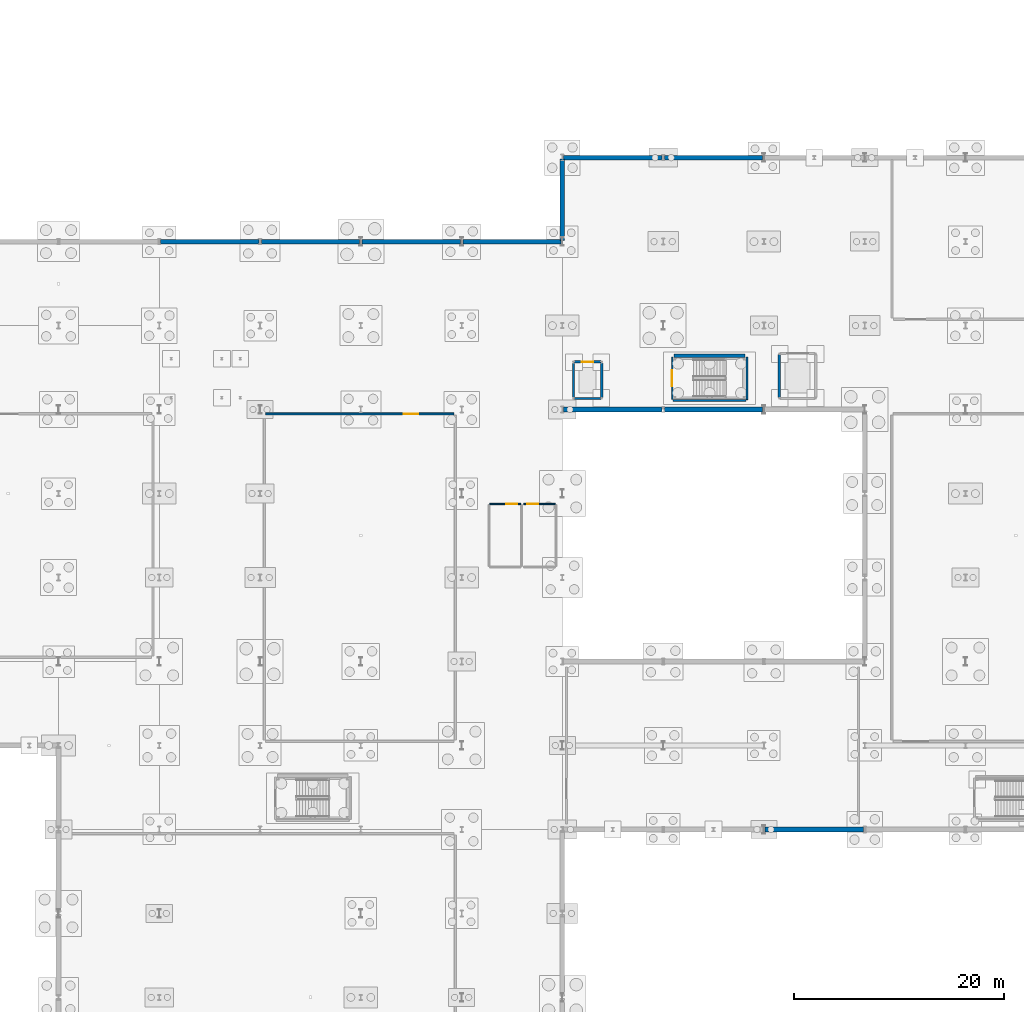
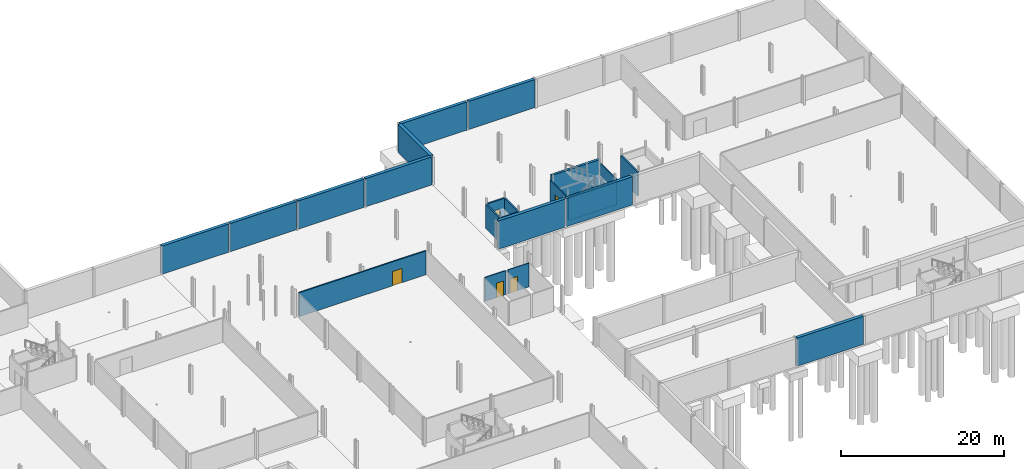
# One storey, part 39 of 47: 22 walls, 5 doors, 5 openings.
"""IFC4 building model written with IfcOpenShell, lengths in metres."""

from ifc_helpers import new_model, si_unit, direction, frame, frame_2d, origin, place, context, subcontext, project, spatial, rectangle, extrude, material, layer, layer_set, type_object, element, fill, save


model = new_model("IFC4")

# Units and contexts
model_context = context("Model", 3, precision=1e-05, world=origin(), true_north=direction((0.0, 1.0)))
body_context = subcontext(model_context, "Body", "Model", "MODEL_VIEW")
ifc_project = project(units=[si_unit("LENGTHUNIT", "METRE"), si_unit("AREAUNIT", "SQUARE_METRE"), si_unit("VOLUMEUNIT", "CUBIC_METRE"), si_unit("PLANEANGLEUNIT", "RADIAN"), si_unit("MASSUNIT", "GRAM", prefix="KILO")], contexts=[model_context])

# Site, building, storey
site_placement = place(None, origin())
site = spatial("IfcSite", under=ifc_project, at=site_placement, CompositionType="ELEMENT")
building_placement = place(site_placement, origin())
building = spatial("IfcBuilding", under=site, at=building_placement, Name="Alderhovde Museum", CompositionType="ELEMENT")
storey_placement = place(building_placement, frame((0.0, 0.0, -4.5)))
storey = spatial("IfcBuildingStorey", under=building, at=storey_placement, Name="B1", CompositionType="ELEMENT", Elevation=-4.5)

# Wall, opening, door
ifc_material_1 = material(Name="Fire-Resisting Twin-Stud Compartment Wall")
ifc_layer_1 = layer(ifc_material_1, 0.18994140625)
ifc_layer_set_1 = layer_set([ifc_layer_1], Name="Fire-Resisting Twin-Stud Compartment Wall")
wall_type_1 = type_object("IfcWallType", Name="IW-FIRE-190", PredefinedType="SOLIDWALL", material=ifc_layer_set_1)
wall_1_placement = place(storey_placement, frame((86.93994140625, 71.60009765625, 0.0), z_axis=(0.0, 0.0, 1.0), x_axis=(1.0, 0.0, 0.0)))
wall_1 = element("IfcWall", 1, at=wall_1_placement, inside=storey, type_object=wall_type_1, Name="B1 Conservation HVAC Plant Hall Partition Wall N", PredefinedType="SOLIDWALL", context=body_context, shape_type="SweptSolid", body=[
    extrude(rectangle(XDim=17.920166015625, YDim=0.18994140625, at=frame_2d((8.9599609375, 0.0))), origin(), (0.0, 0.0, 1.0), 3.580078125),
])
opening_1_placement = place(wall_1_placement, frame((13.14599609375, 0.0, 0.0)))
opening_1 = element("IfcOpeningElement", 2, at=opening_1_placement, cuts=wall_1, Name="Opening FD-6", PredefinedType="OPENING", context=body_context, shape_type="SweptSolid", body=[
    extrude(rectangle(XDim=1.39990234375, YDim=2.14990234375, at=frame_2d((0.699951171875, 1.074951171875))), frame((0.0, 0.10498046875, 0.0), z_axis=(0.0, -1.0, 0.0), x_axis=(1.0, 0.0, 0.0)), (0.0, 0.0, 1.0), 0.2099609375),
])
ifc_material_2 = material(Name="Fire-Rated Plant Room Door (Steel/Oak)", Category="steel")
door_type_1 = type_object("IfcDoorType", Name="FD-PLANT-1400x2150", OperationType="NOTDEFINED", PredefinedType="DOOR", material=ifc_material_2)
door_1_placement = place(opening_1_placement, origin())
door_1 = element("IfcDoor", 3, at=door_1_placement, inside=storey, type_object=door_type_1, Name="B1 Conservation HVAC Plant Hall Door", OperationType="SINGLE_SWING_RIGHT", OverallHeight=2.14990234375, OverallWidth=1.39990234375, PredefinedType="DOOR", context=body_context, shape_type="SweptSolid", body=[
    extrude(rectangle(XDim=1.39990234375, YDim=2.14990234375, at=frame_2d((0.699951171875, 1.074951171875))), frame((0.0, 0.02490234375, 0.0), z_axis=(0.0, -1.0, 0.0), x_axis=(1.0, 0.0, 0.0)), (0.0, 0.0, 1.0), 0.050048828125),
])
fill(opening_1, door_1)

# Wall
ifc_material_3 = material(Name="Concrete C40/50 and Fireboard Shaft Wall", Category="concrete")
ifc_layer_2 = layer(ifc_material_3, 0.22998046875)
ifc_layer_set_2 = layer_set([ifc_layer_2], Name="Concrete C40/50 and Fireboard Shaft Wall")
wall_type_2 = type_object("IfcWallType", Name="IW-SHAFT-230", PredefinedType="SOLIDWALL", material=ifc_layer_set_2)
wall_2_placement = place(storey_placement, frame((116.340087890625, 73.06005859375, 0.0), z_axis=(0.0, 0.0, 1.0), x_axis=(1.0, 0.0, 0.0)))
element("IfcWall", 4, at=wall_2_placement, inside=storey, type_object=wall_type_2, Name="B1 Passenger Lift PL-03 Shaft Wall South", PredefinedType="SOLIDWALL", context=body_context, shape_type="SweptSolid", body=[
    extrude(rectangle(XDim=2.52001953125, YDim=0.22998046875, at=frame_2d((1.260009765625, 0.0))), origin(), (0.0, 0.0, 1.0), 3.580078125),
])

# Wall, opening, door
wall_3_placement = place(storey_placement, frame((116.340087890625, 76.5400390625, 0.0), z_axis=(0.0, 0.0, 1.0), x_axis=(1.0, 0.0, 0.0)))
wall_3 = element("IfcWall", 5, at=wall_3_placement, inside=storey, type_object=wall_type_2, Name="B1 Passenger Lift PL-03 Shaft Wall North", PredefinedType="SOLIDWALL", context=body_context, shape_type="SweptSolid", body=[
    extrude(rectangle(XDim=2.52001953125, YDim=0.22998046875, at=frame_2d((1.260009765625, 0.0))), origin(), (0.0, 0.0, 1.0), 3.580078125),
])
opening_2_placement = place(wall_3_placement, frame((0.7099609375, 0.0, 0.0)))
opening_2 = element("IfcOpeningElement", 6, at=opening_2_placement, cuts=wall_3, Name="Opening LD-1", PredefinedType="OPENING", context=body_context, shape_type="SweptSolid", body=[
    extrude(rectangle(XDim=1.10009765625, YDim=2.199951171875, at=frame_2d((0.550048828125, 1.10009765625))), frame((0.0, 0.125, 0.0), z_axis=(0.0, -1.0, 0.0), x_axis=(1.0, 0.0, 0.0)), (0.0, 0.0, 1.0), 0.25),
])
ifc_material_4 = material(Name="Passenger Lift Sliding Landing Door (Steel/Oak)", Category="steel")
door_type_2 = type_object("IfcDoorType", Name="LD-PASS-1100x2200", OperationType="SLIDING_TO_LEFT", PredefinedType="DOOR", material=ifc_material_4)
door_2_placement = place(opening_2_placement, origin())
door_2 = element("IfcDoor", 7, at=door_2_placement, inside=storey, type_object=door_type_2, Name="B1 Passenger Lift PL-03 Landing Door", OperationType="SLIDING_TO_LEFT", OverallHeight=2.199951171875, OverallWidth=1.10009765625, PredefinedType="DOOR", context=body_context, shape_type="SweptSolid", body=[
    extrude(rectangle(XDim=1.10009765625, YDim=2.199951171875, at=frame_2d((0.550048828125, 1.10009765625))), frame((0.0, 0.02490234375, 0.0), z_axis=(0.0, -1.0, 0.0), x_axis=(1.0, 0.0, 0.0)), (0.0, 0.0, 1.0), 0.050048828125),
])
fill(opening_2, door_2)

# Walls
for number, where, z_axis, x_axis, name in (
    (8, (116.260009765625, 73.139892578125, 0.0), (0.0, 0.0, 1.0), (0.0, 1.0, 0.0), "B1 Passenger Lift PL-03 Shaft Wall West"),
    (9, (118.93994140625, 73.139892578125, 0.0), (0.0, 0.0, 1.0), (0.0, 1.0, 0.0), "B1 Passenger Lift PL-03 Shaft Wall East"),
):
    element("IfcWall", number, at=place(storey_placement, frame(where, z_axis=z_axis, x_axis=x_axis)), inside=storey, type_object=wall_type_2, Name=name, PredefinedType="SOLIDWALL", context=body_context, shape_type="SweptSolid", body=[
        extrude(rectangle(XDim=3.320068359375, YDim=0.22998046875, at=frame_2d((1.66015625, 0.0))), origin(), (0.0, 0.0, 1.0), 3.580078125),
    ])
wall_4_placement = place(storey_placement, frame((135.860107421875, 73.139892578125, 0.0), z_axis=(0.0, 0.0, 1.0), x_axis=(0.0, 1.0, 0.0)))
element("IfcWall", 10, at=wall_4_placement, inside=storey, type_object=wall_type_2, Name="B1 Goods Lift Shaft Wall West", PredefinedType="SOLIDWALL", context=body_context, shape_type="SweptSolid", body=[
    extrude(rectangle(XDim=4.1201171875, YDim=0.22998046875, at=frame_2d((2.06005859375, 0.0))), origin(), (0.0, 0.0, 1.0), 3.580078125),
])

# Wall, opening, door
ifc_material_5 = material(Name="Fire-Resisting Stair Lobby Wall")
ifc_layer_3 = layer(ifc_material_5, 0.169921875)
ifc_layer_set_3 = layer_set([ifc_layer_3], Name="Fire-Resisting Stair Lobby Wall")
wall_type_3 = type_object("IfcWallType", Name="IW-STAIR-170", PredefinedType="SOLIDWALL", material=ifc_layer_set_3)
wall_5_placement = place(storey_placement, frame((125.659912109375, 72.9599609375, 0.0), z_axis=(0.0, 0.0, 1.0), x_axis=(0.0, 1.0, 0.0)))
wall_5 = element("IfcWall", 11, at=wall_5_placement, inside=storey, type_object=wall_type_3, Name="B1 Escape Stair ST4 Fire Wall W", PredefinedType="SOLIDWALL", context=body_context, shape_type="SweptSolid", body=[
    extrude(rectangle(XDim=4.0400390625, YDim=0.169921875, at=frame_2d((2.02001953125, 0.0))), origin(), (0.0, 0.0, 1.0), 3.580078125),
])
opening_3_placement = place(wall_5_placement, frame((1.27001953125, 0.0, 0.0)))
opening_3 = element("IfcOpeningElement", 12, at=opening_3_placement, cuts=wall_5, Name="Opening FD-1", PredefinedType="OPENING", context=body_context, shape_type="SweptSolid", body=[
    extrude(rectangle(XDim=1.5, YDim=2.199951171875, at=frame_2d((0.75, 1.10009765625))), frame((0.0, 0.094970703125, 0.0), z_axis=(0.0, -1.0, 0.0), x_axis=(1.0, 0.0, 0.0)), (0.0, 0.0, 1.0), 0.18994140625),
])
ifc_material_6 = material(Name="Fire-Rated Steel Stair Escape Door (Steel/Oak)", Category="steel")
door_type_3 = type_object("IfcDoorType", Name="FD-STAIR-1500x2200", OperationType="NOTDEFINED", PredefinedType="DOOR", material=ifc_material_6)
door_3_placement = place(opening_3_placement, origin())
door_3 = element("IfcDoor", 13, at=door_3_placement, inside=storey, type_object=door_type_3, Name="B1 Escape Stair ST4 Fire Door", OperationType="SINGLE_SWING_RIGHT", OverallHeight=2.199951171875, OverallWidth=1.5, PredefinedType="DOOR", context=body_context, shape_type="SweptSolid", body=[
    extrude(rectangle(XDim=1.5, YDim=2.199951171875, at=frame_2d((0.75, 1.10009765625))), frame((0.0, 0.02490234375, 0.0), z_axis=(0.0, -1.0, 0.0), x_axis=(1.0, 0.0, 0.0)), (0.0, 0.0, 1.0), 0.050048828125),
])
fill(opening_3, door_3)

# Walls
wall_6_placement = place(storey_placement, frame((132.780029296875, 72.9599609375, 0.0), z_axis=(0.0, 0.0, 1.0), x_axis=(0.0, 1.0, 0.0)))
element("IfcWall", 14, at=wall_6_placement, inside=storey, type_object=wall_type_3, Name="B1 Escape Stair ST4 Fire Wall E", PredefinedType="SOLIDWALL", context=body_context, shape_type="SweptSolid", body=[
    extrude(rectangle(XDim=4.0400390625, YDim=0.169921875, at=frame_2d((2.02001953125, 0.0))), origin(), (0.0, 0.0, 1.0), 3.580078125),
])
wall_7_placement = place(storey_placement, frame((125.760009765625, 72.860107421875, 0.0), z_axis=(0.0, 0.0, 1.0), x_axis=(1.0, 0.0, 0.0)))
element("IfcWall", 15, at=wall_7_placement, inside=storey, type_object=wall_type_3, Name="B1 Escape Stair ST4 Fire Wall S", PredefinedType="SOLIDWALL", context=body_context, shape_type="SweptSolid", body=[
    extrude(rectangle(XDim=6.919921875, YDim=0.169921875, at=frame_2d((3.4599609375, 0.0))), origin(), (0.0, 0.0, 1.0), 3.580078125),
])

# Wall, opening, door
ifc_material_7 = material(Name="Moisture-Resistant Sanitary Partition")
ifc_layer_4 = layer(ifc_material_7, 0.114990234375)
ifc_layer_set_4 = layer_set([ifc_layer_4], Name="Moisture-Resistant Sanitary Partition")
wall_type_4 = type_object("IfcWallType", Name="IW-WC-115", PredefinedType="PARTITIONING", material=ifc_layer_set_4)
wall_8_placement = place(storey_placement, frame((108.260009765625, 63.0, 0.0), z_axis=(0.0, 0.0, 1.0), x_axis=(1.0, 0.0, 0.0)))
wall_8 = element("IfcWall", 16, at=wall_8_placement, inside=storey, type_object=wall_type_4, Name="B1 Staff WC Partition Wall N", PredefinedType="PARTITIONING", context=body_context, shape_type="SweptSolid", body=[
    extrude(rectangle(XDim=2.97998046875, YDim=0.114990234375, at=frame_2d((1.489990234375, 0.0))), origin(), (0.0, 0.0, 1.0), 3.580078125),
])
opening_4_placement = place(wall_8_placement, frame((1.610107421875, 0.0, 0.0)))
opening_4 = element("IfcOpeningElement", 17, at=opening_4_placement, cuts=wall_8, Name="Opening D09", PredefinedType="OPENING", context=body_context, shape_type="SweptSolid", body=[
    extrude(rectangle(XDim=1.050048828125, YDim=2.14990234375, at=frame_2d((0.52490234375, 1.074951171875))), frame((0.0, 0.0673828125, 0.0), z_axis=(0.0, -1.0, 0.0), x_axis=(1.0, 0.0, 0.0)), (0.0, 0.0, 1.0), 0.135009765625),
])
ifc_material_8 = material(Name="Accessible Sanitary Room Door (Steel/Oak)", Category="steel")
door_type_4 = type_object("IfcDoorType", Name="ID-WC-1050x2150", OperationType="NOTDEFINED", PredefinedType="DOOR", material=ifc_material_8)
door_4_placement = place(opening_4_placement, origin())
door_4 = element("IfcDoor", 18, at=door_4_placement, inside=storey, type_object=door_type_4, Name="B1 Staff WC Door", OperationType="SINGLE_SWING_RIGHT", OverallHeight=2.14990234375, OverallWidth=1.050048828125, PredefinedType="DOOR", context=body_context, shape_type="SweptSolid", body=[
    extrude(rectangle(XDim=1.050048828125, YDim=2.14990234375, at=frame_2d((0.52490234375, 1.074951171875))), frame((0.0, 0.02490234375, 0.0), z_axis=(0.0, -1.0, 0.0), x_axis=(1.0, 0.0, 0.0)), (0.0, 0.0, 1.0), 0.050048828125),
])
fill(opening_4, door_4)

wall_9_placement = place(storey_placement, frame((111.510009765625, 63.0, 0.0), z_axis=(0.0, 0.0, 1.0), x_axis=(1.0, 0.0, 0.0)))
wall_9 = element("IfcWall", 19, at=wall_9_placement, inside=storey, type_object=wall_type_4, Name="B1 Accessible WC Partition Wall N", PredefinedType="PARTITIONING", context=body_context, shape_type="SweptSolid", body=[
    extrude(rectangle(XDim=3.030029296875, YDim=0.114990234375, at=frame_2d((1.51513671875, 0.0))), origin(), (0.0, 0.0, 1.0), 3.580078125),
])
opening_5_placement = place(wall_9_placement, frame((0.320068359375, 0.0, 0.0)))
opening_5 = element("IfcOpeningElement", 20, at=opening_5_placement, cuts=wall_9, Name="Opening D09", PredefinedType="OPENING", context=body_context, shape_type="SweptSolid", body=[
    extrude(rectangle(XDim=1.050048828125, YDim=2.14990234375, at=frame_2d((0.52490234375, 1.074951171875))), frame((0.0, 0.0673828125, 0.0), z_axis=(0.0, -1.0, 0.0), x_axis=(1.0, 0.0, 0.0)), (0.0, 0.0, 1.0), 0.135009765625),
])
door_5_placement = place(opening_5_placement, origin())
door_5 = element("IfcDoor", 21, at=door_5_placement, inside=storey, type_object=door_type_4, Name="B1 Accessible WC Door", OperationType="SINGLE_SWING_LEFT", OverallHeight=2.14990234375, OverallWidth=1.050048828125, PredefinedType="DOOR", context=body_context, shape_type="SweptSolid", body=[
    extrude(rectangle(XDim=1.050048828125, YDim=2.14990234375, at=frame_2d((0.52490234375, 1.074951171875))), frame((0.0, 0.02490234375, 0.0), z_axis=(0.0, -1.0, 0.0), x_axis=(1.0, 0.0, 0.0)), (0.0, 0.0, 1.0), 0.050048828125),
])
fill(opening_5, door_5)

# Walls
ifc_material_9 = material(Name="Concrete C40/50", Category="concrete")
ifc_layer_5 = layer(ifc_material_9, 0.320068359375)
ifc_layer_set_5 = layer_set([ifc_layer_5], Name="Concrete C40/50")
wall_type_5 = type_object("IfcWallType", Name="SW-CORE-320", PredefinedType="SHEAR", material=ifc_layer_set_5)
wall_10_placement = place(storey_placement, frame((125.85009765625, 77.1201171875, 0.0), z_axis=(0.0, 0.0, 1.0), x_axis=(1.0, 0.0, 0.0)))
element("IfcWall", 22, at=wall_10_placement, inside=storey, type_object=wall_type_5, Name="B1 Core Concrete Shear Wall ST4", PredefinedType="SHEAR", context=body_context, shape_type="SweptSolid", body=[
    extrude(rectangle(XDim=6.739990234375, YDim=0.320068359375, at=frame_2d((3.3701171875, 0.0))), origin(), (0.0, 0.0, 1.0), 4.219970703125),
])
ifc_material_10 = material(Name="Concrete C40/50", Category="concrete")
ifc_layer_6 = layer(ifc_material_10, 0.449951171875)
ifc_layer_set_6 = layer_set([ifc_layer_6], Name="Concrete C40/50")
wall_type_6 = type_object("IfcWallType", Name="SW-RET-450", PredefinedType="SHEAR", material=ifc_layer_set_6)
wall_11_placement = place(storey_placement, frame((76.919921875, 88.0, 0.0), z_axis=(0.0, 0.0, 1.0), x_axis=(1.0, 0.0, 0.0)))
element("IfcWall", 23, at=wall_11_placement, inside=storey, type_object=wall_type_6, Name="B1 Concrete Perimeter Retaining Wall 19", PredefinedType="SHEAR", context=body_context, shape_type="SweptSolid", body=[
    extrude(rectangle(XDim=9.360107421875, YDim=0.449951171875, at=frame_2d((4.68017578125, 0.0))), origin(), (0.0, 0.0, 1.0), 4.219970703125),
])
for number, where, z_axis, x_axis, name in (
    (24, (86.52001953125, 88.0, 0.0), (0.0, 0.0, 1.0), (1.0, 0.0, 0.0), "B1 Concrete Perimeter Retaining Wall 20"),
    (25, (96.1201171875, 88.0, 0.0), (0.0, 0.0, 1.0), (1.0, 0.0, 0.0), "B1 Concrete Perimeter Retaining Wall 21"),
):
    element("IfcWall", number, at=place(storey_placement, frame(where, z_axis=z_axis, x_axis=x_axis)), inside=storey, type_object=wall_type_6, Name=name, PredefinedType="SHEAR", context=body_context, shape_type="SweptSolid", body=[
        extrude(rectangle(XDim=9.35986328125, YDim=0.449951171875, at=frame_2d((4.679931640625, 0.0))), origin(), (0.0, 0.0, 1.0), 4.219970703125),
    ])
wall_12_placement = place(storey_placement, frame((105.719970703125, 88.0, 0.0), z_axis=(0.0, 0.0, 1.0), x_axis=(1.0, 0.0, 0.0)))
element("IfcWall", 26, at=wall_12_placement, inside=storey, type_object=wall_type_6, Name="B1 Concrete Perimeter Retaining Wall 22", PredefinedType="SHEAR", context=body_context, shape_type="SweptSolid", body=[
    extrude(rectangle(XDim=9.360107421875, YDim=0.449951171875, at=frame_2d((4.68017578125, 0.0))), origin(), (0.0, 0.0, 1.0), 4.219970703125),
])
wall_13_placement = place(storey_placement, frame((115.199951171875, 88.1201171875, 0.0), z_axis=(0.0, 0.0, 1.0), x_axis=(0.0, 1.0, 0.0)))
element("IfcWall", 27, at=wall_13_placement, inside=storey, type_object=wall_type_6, Name="B1 Concrete Perimeter Retaining Wall 23", PredefinedType="SHEAR", context=body_context, shape_type="SweptSolid", body=[
    extrude(rectangle(XDim=7.759765625, YDim=0.449951171875, at=frame_2d((3.8798828125, 0.0))), origin(), (0.0, 0.0, 1.0), 4.219970703125),
])
wall_14_placement = place(storey_placement, frame((115.320068359375, 96.0, 0.0), z_axis=(0.0, 0.0, 1.0), x_axis=(1.0, 0.0, 0.0)))
element("IfcWall", 28, at=wall_14_placement, inside=storey, type_object=wall_type_6, Name="B1 Concrete Perimeter Retaining Wall 24", PredefinedType="SHEAR", context=body_context, shape_type="SweptSolid", body=[
    extrude(rectangle(XDim=9.35986328125, YDim=0.449951171875, at=frame_2d((4.679931640625, 0.0))), origin(), (0.0, 0.0, 1.0), 4.219970703125),
])
wall_15_placement = place(storey_placement, frame((124.919921875, 96.0, 0.0), z_axis=(0.0, 0.0, 1.0), x_axis=(1.0, 0.0, 0.0)))
element("IfcWall", 29, at=wall_15_placement, inside=storey, type_object=wall_type_6, Name="B1 Concrete Perimeter Retaining Wall 25", PredefinedType="SHEAR", context=body_context, shape_type="SweptSolid", body=[
    extrude(rectangle(XDim=9.360107421875, YDim=0.449951171875, at=frame_2d((4.68017578125, 0.0))), origin(), (0.0, 0.0, 1.0), 4.219970703125),
])
for number, where, z_axis, x_axis, name in (
    (30, (134.52001953125, 32.0, 0.0), (0.0, 0.0, 1.0), (1.0, 0.0, 0.0), "B1 Concrete Perimeter Retaining Wall 40"),
    (31, (115.320068359375, 72.0, 0.0), (0.0, 0.0, 1.0), (1.0, 0.0, 0.0), "B1 Concrete Perimeter Retaining Wall 68"),
):
    element("IfcWall", number, at=place(storey_placement, frame(where, z_axis=z_axis, x_axis=x_axis)), inside=storey, type_object=wall_type_6, Name=name, PredefinedType="SHEAR", context=body_context, shape_type="SweptSolid", body=[
        extrude(rectangle(XDim=9.35986328125, YDim=0.449951171875, at=frame_2d((4.679931640625, 0.0))), origin(), (0.0, 0.0, 1.0), 4.219970703125),
    ])
wall_16_placement = place(storey_placement, frame((124.919921875, 72.0, 0.0), z_axis=(0.0, 0.0, 1.0), x_axis=(1.0, 0.0, 0.0)))
element("IfcWall", 32, at=wall_16_placement, inside=storey, type_object=wall_type_6, Name="B1 Concrete Perimeter Retaining Wall 69", PredefinedType="SHEAR", context=body_context, shape_type="SweptSolid", body=[
    extrude(rectangle(XDim=9.360107421875, YDim=0.449951171875, at=frame_2d((4.68017578125, 0.0))), origin(), (0.0, 0.0, 1.0), 4.219970703125),
])

save(model, "model.ifc")
